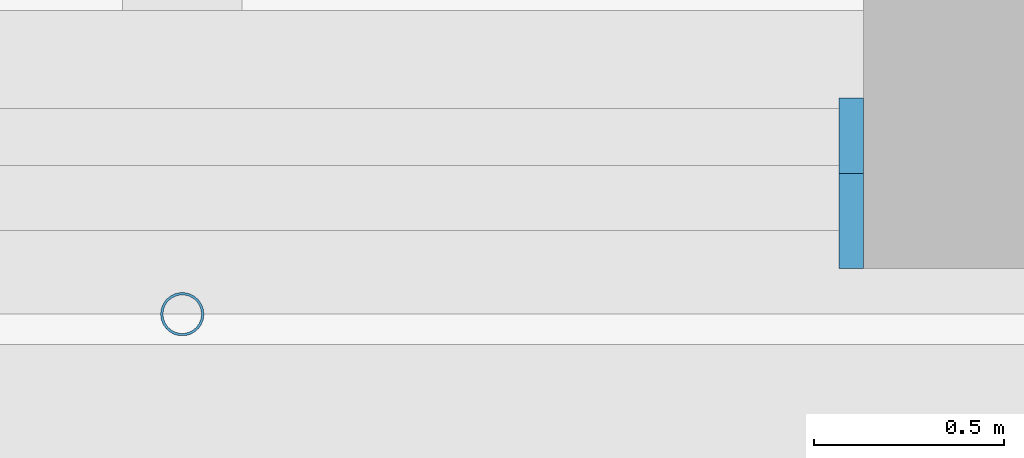
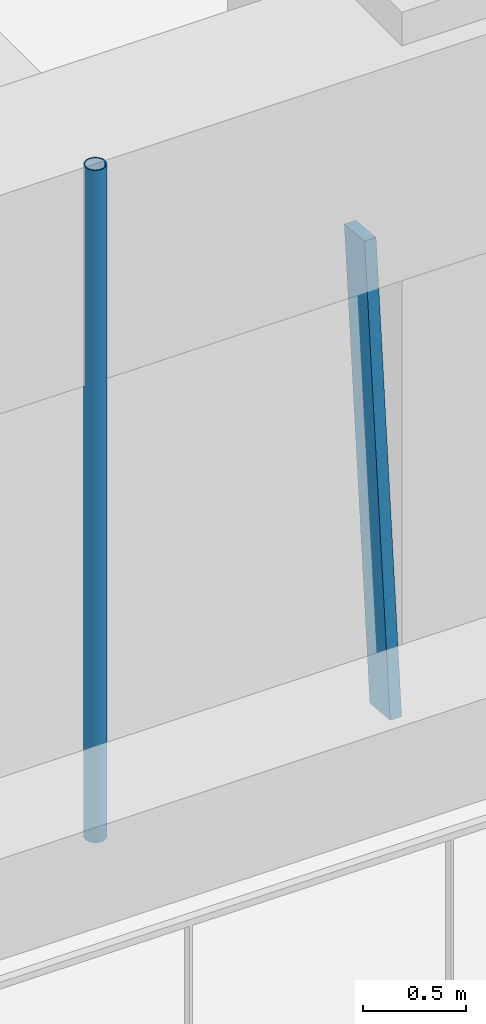
# One storey, part 4 of 24: 2 members, 1 element without a shape of its own.
"""IFC4 building model written with IfcOpenShell, lengths in metres."""

from ifc_helpers import new_model, si_unit, direction, frame, origin, origin_2d, place, context, subcontext, project, spatial, rectangle, hollow_circle, extrude, material, material_profile, profile_set, type_object, element, aggregate, save


model = new_model("IFC4")

# Units and contexts
model_context = context("Model", 3, precision=1e-05, world=origin(), true_north=direction((0.0, 1.0)))
body_context = subcontext(model_context, "Body", "Model", "MODEL_VIEW")
ifc_project = project(units=[si_unit("LENGTHUNIT", "METRE"), si_unit("AREAUNIT", "SQUARE_METRE"), si_unit("VOLUMEUNIT", "CUBIC_METRE"), si_unit("PLANEANGLEUNIT", "RADIAN"), si_unit("MASSUNIT", "GRAM", prefix="KILO")], contexts=[model_context])

# Site, building, storey
site_placement = place(None, origin())
site = spatial("IfcSite", under=ifc_project, at=site_placement, CompositionType="ELEMENT")
building_placement = place(site_placement, origin())
building = spatial("IfcBuilding", under=site, at=building_placement, Name="Tarfa Lantern Tower", CompositionType="ELEMENT")
storey_placement = place(building_placement, frame((0.0, 0.0, 90.699951171875)))
storey = spatial("IfcBuildingStorey", under=building, at=storey_placement, Name="L20", CompositionType="ELEMENT", Elevation=90.699951171875)

# Curtain wall, member
ifc_material_1 = material(Name="Aluminium framed curtain wall", Category="aluminium")
curtain_wall_type = type_object("IfcCurtainWallType", Name="CW1 CANTED GLAZING LOW ZONE 2700", PredefinedType="USERDEFINED", material=ifc_material_1)
curtain_wall_placement = place(storey_placement, origin())
curtain_wall = element("IfcCurtainWall", 1, at=curtain_wall_placement, inside=storey, type_object=curtain_wall_type, Name="CW1 S L20", ObjectType="CURTAIN WALL", PredefinedType="USERDEFINED")
ifc_material_2 = material(Name="Aluminium mullion", Category="aluminium")
ifc_material_profile_1 = material_profile(ifc_material_2, rectangle(XDim=0.06494140625, YDim=0.199951171875, at=origin_2d()), Name="AL MULLION 65x200")
ifc_profile_set_1 = profile_set([ifc_material_profile_1], Name="Aluminium mullion")
member_type_1 = type_object("IfcMemberType", Name="CWM1 MULLION 65x200", PredefinedType="MULLION", material=ifc_profile_set_1)
member_1_placement = place(storey_placement, frame((9.8447265625, -33.89990234375, 0.0), z_axis=(0.0, 0.092199863775, 0.995740520979), x_axis=(-1.0, 0.0, 0.0)))
member_1 = element("IfcMember", 2, at=member_1_placement, type_object=member_type_1, Name="CW1 mullion 2", PredefinedType="MULLION", context=body_context, shape_type="SweptSolid", body=[
    extrude(rectangle(XDim=0.06494140625, YDim=0.199951171875, at=origin_2d()), origin(), (0.0, 0.0, 1.0), 2.71142578125),
])
aggregate(curtain_wall, [member_1])

# Member
ifc_material_3 = material(Name="Steel S355", Category="steel")
ifc_material_profile_2 = material_profile(ifc_material_3, hollow_circle(Radius=0.05712890625, WallThickness=0.00634765625, at=origin_2d()), Name="CHS114.3x6.3")
ifc_profile_set_2 = profile_set([ifc_material_profile_2], Name="Steel S355")
member_type_2 = type_object("IfcMemberType", Name="TR1 GREEN WALL TRELLIS CHS114.3x6.3", PredefinedType="USERDEFINED", material=ifc_profile_set_2)
member_2_placement = place(storey_placement, frame((8.0830078125, -34.1201171875, 0.0), z_axis=(0.0, 0.0, 1.0), x_axis=(1.0, 0.0, 0.0)))
element("IfcMember", 3, at=member_2_placement, inside=storey, type_object=member_type_2, Name="Trellis post S 2", ObjectType="TRELLIS", PredefinedType="USERDEFINED", context=body_context, shape_type="SweptSolid", body=[
    extrude(hollow_circle(Radius=0.05712890625, WallThickness=0.00634765625, at=origin_2d()), origin(), (0.0, 0.0, 1.0), 4.0),
])

save(model, "model.ifc")
